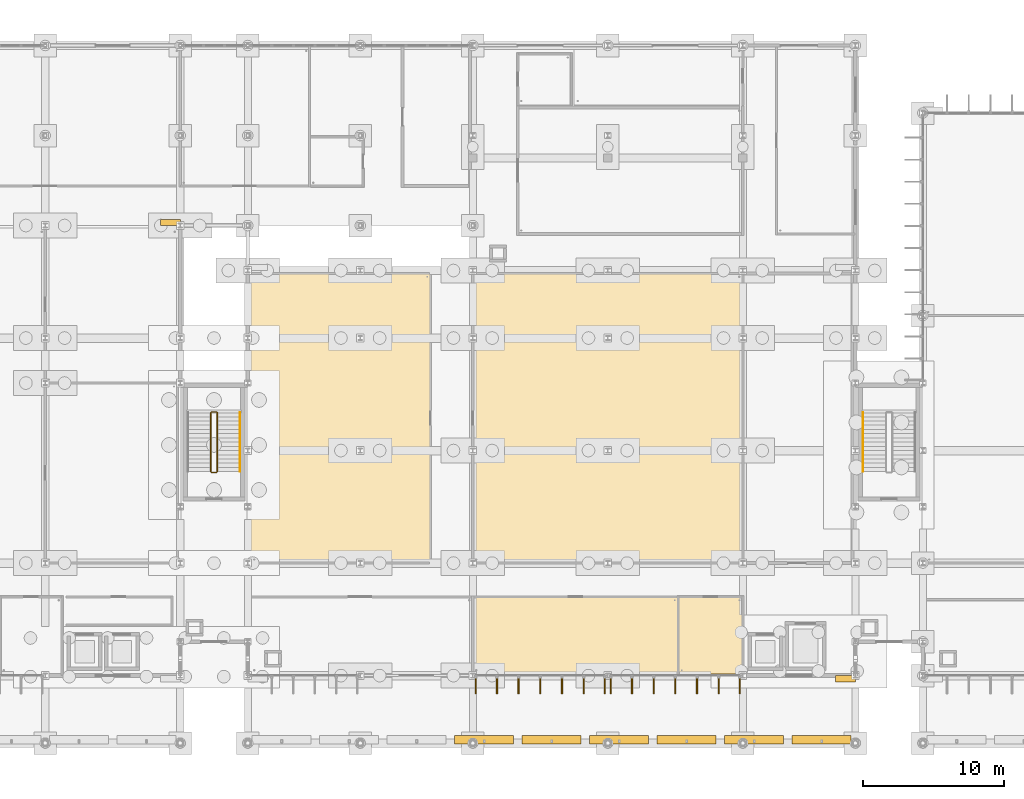
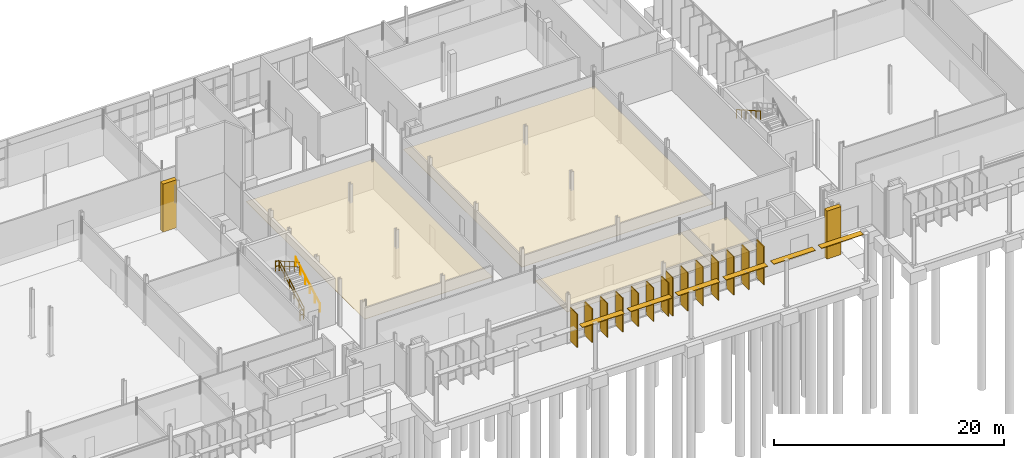
# One storey, part 106 of 111: 20 coverings, 6 railings, 6 shading devices.
"""IFC4 building model written with IfcOpenShell, lengths in metres."""

from ifc_helpers import new_model, si_unit, direction, frame, origin, origin_2d, place, context, subcontext, project, spatial, polyline, rectangle, circle, outline, extrude, material, layer, layer_set, type_object, element, save


model = new_model("IFC4")

# Units and contexts
model_context = context("Model", 3, precision=1e-05, world=origin(), true_north=direction((0.0, 1.0)))
body_context = subcontext(model_context, "Body", "Model", "MODEL_VIEW")
ifc_project = project(units=[si_unit("LENGTHUNIT", "METRE"), si_unit("AREAUNIT", "SQUARE_METRE"), si_unit("VOLUMEUNIT", "CUBIC_METRE"), si_unit("PLANEANGLEUNIT", "RADIAN"), si_unit("MASSUNIT", "GRAM", prefix="KILO")], contexts=[model_context])

# Site, building, storey
site_placement = place(None, origin())
site = spatial("IfcSite", under=ifc_project, at=site_placement, CompositionType="ELEMENT")
building_placement = place(site_placement, origin())
building = spatial("IfcBuilding", under=site, at=building_placement, Name="Dunescarp Central Library", CompositionType="ELEMENT")
storey_placement = place(building_placement, origin())
storey = spatial("IfcBuildingStorey", under=building, at=storey_placement, Name="L00", CompositionType="ELEMENT", Elevation=0.0)

# Coverings
ifc_material_1 = material(Name="Mineral-fibre acoustic ceiling tile")
ifc_layer_1 = layer(ifc_material_1, 0.0400390625)
ifc_layer_set_1 = layer_set([ifc_layer_1], Name="Mineral-fibre acoustic ceiling tile")
covering_type_1 = type_object("IfcCoveringType", Name="ARC-COV-CEIL40", PredefinedType="CEILING", material=ifc_layer_set_1)
covering_1_placement = place(storey_placement, frame((0.0, 0.0, 3.050048828125)))
element("IfcCovering", 1, at=covering_1_placement, inside=storey, type_object=covering_type_1, Name="L00 ceiling Stacks Wing WC", PredefinedType="CEILING", context=body_context, shape_type="SweptSolid", body=[
    extrude(outline(polyline([(112.179931640625, 4.919921875), (116.820068359375, 4.919921875), (116.820068359375, 10.419921875), (112.179931640625, 10.419921875), (112.179931640625, 4.919921875)])), origin(), (0.0, 0.0, 1.0), 0.0400390625),
])
covering_2_placement = place(storey_placement, frame((0.0, 0.0, 3.050048828125)))
element("IfcCovering", 2, at=covering_2_placement, inside=storey, type_object=covering_type_1, Name="L00 ceiling Community Literacy Classroom", PredefinedType="CEILING", context=body_context, shape_type="SweptSolid", body=[
    extrude(outline(polyline([(97.580078125, 4.919921875), (112.219970703125, 4.919921875), (112.219970703125, 10.419921875), (97.580078125, 10.419921875), (97.580078125, 4.919921875)])), origin(), (0.0, 0.0, 1.0), 0.0400390625),
])
covering_3_placement = place(storey_placement, frame((0.0, 0.0, 3.050048828125)))
element("IfcCovering", 3, at=covering_3_placement, inside=storey, type_object=covering_type_1, Name="L00 ceiling Open Reference Book Stacks Ground", PredefinedType="CEILING", context=body_context, shape_type="SweptSolid", body=[
    extrude(outline(polyline([(81.780029296875, 12.780029296875), (94.6201171875, 12.780029296875), (94.6201171875, 33.419921875), (81.780029296875, 33.419921875), (81.780029296875, 12.780029296875)])), origin(), (0.0, 0.0, 1.0), 0.0400390625),
])
covering_4_placement = place(storey_placement, frame((0.0, 0.0, 3.050048828125)))
element("IfcCovering", 4, at=covering_4_placement, inside=storey, type_object=covering_type_1, Name="L00 ceiling Acquisitions & Preservation Laboratory", PredefinedType="CEILING", context=body_context, shape_type="SweptSolid", body=[
    extrude(outline(polyline([(97.580078125, 12.780029296875), (116.820068359375, 12.780029296875), (116.820068359375, 33.419921875), (97.580078125, 33.419921875), (97.580078125, 12.780029296875)])), origin(), (0.0, 0.0, 1.0), 0.0400390625),
])
ifc_material_2 = material(Name="Glass-fibre reinforced concrete GRC", Category="concrete")
ifc_layer_2 = layer(ifc_material_2, 0.090087890625)
ifc_layer_set_2 = layer_set([ifc_layer_2], Name="Glass-fibre reinforced concrete GRC")
covering_type_2 = type_object("IfcCoveringType", Name="ARC-COV-FIN1250", PredefinedType="CLADDING", material=ifc_layer_set_2)
covering_5_placement = place(storey_placement, frame((106.985107421875, 4.137939453125, 0.1669921875), z_axis=(0.0, 0.0, 1.0), x_axis=(0.0, -1.0, 0.0)))
element("IfcCovering", 5, at=covering_5_placement, inside=storey, type_object=covering_type_2, Name="L00 parametric vertical facade fin FIN-L00-0566", PredefinedType="CLADDING", context=body_context, shape_type="SweptSolid", body=[
    extrude(rectangle(XDim=1.25, YDim=0.090087890625, at=origin_2d()), origin(), (0.0, 0.0, 1.0), 3.55810546875),
])
covering_6_placement = place(storey_placement, frame((105.48291015625, 4.137939453125, 0.180419921875), z_axis=(0.0, 0.0, 1.0), x_axis=(0.0, -1.0, 0.0)))
element("IfcCovering", 6, at=covering_6_placement, inside=storey, type_object=covering_type_2, Name="L00 parametric vertical facade fin FIN-L00-0567", PredefinedType="CLADDING", context=body_context, shape_type="SweptSolid", body=[
    extrude(rectangle(XDim=1.25, YDim=0.090087890625, at=origin_2d()), origin(), (0.0, 0.0, 1.0), 3.544921875),
])
covering_7_placement = place(storey_placement, frame((103.94189453125, 4.137939453125, 0.16455078125), z_axis=(0.0, 0.0, 1.0), x_axis=(0.0, -1.0, 0.0)))
element("IfcCovering", 7, at=covering_7_placement, inside=storey, type_object=covering_type_2, Name="L00 parametric vertical facade fin FIN-L00-0568", PredefinedType="CLADDING", context=body_context, shape_type="SweptSolid", body=[
    extrude(rectangle(XDim=1.25, YDim=0.090087890625, at=origin_2d()), origin(), (0.0, 0.0, 1.0), 3.56103515625),
])
covering_8_placement = place(storey_placement, frame((102.39990234375, 4.137939453125, 0.123046875), z_axis=(0.0, 0.0, 1.0), x_axis=(0.0, -1.0, 0.0)))
element("IfcCovering", 8, at=covering_8_placement, inside=storey, type_object=covering_type_2, Name="L00 parametric vertical facade fin FIN-L00-0569", PredefinedType="CLADDING", context=body_context, shape_type="SweptSolid", body=[
    extrude(rectangle(XDim=1.25, YDim=0.090087890625, at=origin_2d()), origin(), (0.0, 0.0, 1.0), 3.60205078125),
])
covering_9_placement = place(storey_placement, frame((100.85791015625, 4.137939453125, 0.080078125), z_axis=(0.0, 0.0, 1.0), x_axis=(0.0, -1.0, 0.0)))
element("IfcCovering", 9, at=covering_9_placement, inside=storey, type_object=covering_type_2, Name="L00 parametric vertical facade fin FIN-L00-0570", PredefinedType="CLADDING", context=body_context, shape_type="SweptSolid", body=[
    extrude(rectangle(XDim=1.25, YDim=0.090087890625, at=origin_2d()), origin(), (0.0, 0.0, 1.0), 3.634033203125),
])
covering_10_placement = place(storey_placement, frame((99.31689453125, 4.137939453125, 0.080078125), z_axis=(0.0, 0.0, 1.0), x_axis=(0.0, -1.0, 0.0)))
element("IfcCovering", 10, at=covering_10_placement, inside=storey, type_object=covering_type_2, Name="L00 parametric vertical facade fin FIN-L00-0571", PredefinedType="CLADDING", context=body_context, shape_type="SweptSolid", body=[
    extrude(rectangle(XDim=1.25, YDim=0.090087890625, at=origin_2d()), origin(), (0.0, 0.0, 1.0), 3.583984375),
])
covering_11_placement = place(storey_placement, frame((97.81494140625, 4.137939453125, 0.07958984375), z_axis=(0.0, 0.0, 1.0), x_axis=(0.0, -1.0, 0.0)))
element("IfcCovering", 11, at=covering_11_placement, inside=storey, type_object=covering_type_2, Name="L00 parametric vertical facade fin FIN-L00-0572", PredefinedType="CLADDING", context=body_context, shape_type="SweptSolid", body=[
    extrude(rectangle(XDim=1.25, YDim=0.090087890625, at=origin_2d()), origin(), (0.0, 0.0, 1.0), 3.551025390625),
])
covering_12_placement = place(storey_placement, frame((116.5849609375, 4.137939453125, 0.1669921875), z_axis=(0.0, 0.0, 1.0), x_axis=(0.0, -1.0, 0.0)))
element("IfcCovering", 12, at=covering_12_placement, inside=storey, type_object=covering_type_2, Name="L00 parametric vertical facade fin FIN-L00-0573", PredefinedType="CLADDING", context=body_context, shape_type="SweptSolid", body=[
    extrude(rectangle(XDim=1.25, YDim=0.090087890625, at=origin_2d()), origin(), (0.0, 0.0, 1.0), 4.05810546875),
])
covering_13_placement = place(storey_placement, frame((115.0830078125, 4.137939453125, 0.179443359375), z_axis=(0.0, 0.0, 1.0), x_axis=(0.0, -1.0, 0.0)))
element("IfcCovering", 13, at=covering_13_placement, inside=storey, type_object=covering_type_2, Name="L00 parametric vertical facade fin FIN-L00-0574", PredefinedType="CLADDING", context=body_context, shape_type="SweptSolid", body=[
    extrude(rectangle(XDim=1.25, YDim=0.090087890625, at=origin_2d()), origin(), (0.0, 0.0, 1.0), 4.044921875),
])
covering_14_placement = place(storey_placement, frame((113.5419921875, 4.137939453125, 0.16357421875), z_axis=(0.0, 0.0, 1.0), x_axis=(0.0, -1.0, 0.0)))
element("IfcCovering", 14, at=covering_14_placement, inside=storey, type_object=covering_type_2, Name="L00 parametric vertical facade fin FIN-L00-0575", PredefinedType="CLADDING", context=body_context, shape_type="SweptSolid", body=[
    extrude(rectangle(XDim=1.25, YDim=0.090087890625, at=origin_2d()), origin(), (0.0, 0.0, 1.0), 4.06103515625),
])
covering_15_placement = place(storey_placement, frame((112.0, 4.137939453125, 0.123046875), z_axis=(0.0, 0.0, 1.0), x_axis=(0.0, -1.0, 0.0)))
element("IfcCovering", 15, at=covering_15_placement, inside=storey, type_object=covering_type_2, Name="L00 parametric vertical facade fin FIN-L00-0576", PredefinedType="CLADDING", context=body_context, shape_type="SweptSolid", body=[
    extrude(rectangle(XDim=1.25, YDim=0.090087890625, at=origin_2d()), origin(), (0.0, 0.0, 1.0), 4.10205078125),
])
covering_16_placement = place(storey_placement, frame((110.4580078125, 4.137939453125, 0.080078125), z_axis=(0.0, 0.0, 1.0), x_axis=(0.0, -1.0, 0.0)))
element("IfcCovering", 16, at=covering_16_placement, inside=storey, type_object=covering_type_2, Name="L00 parametric vertical facade fin FIN-L00-0577", PredefinedType="CLADDING", context=body_context, shape_type="SweptSolid", body=[
    extrude(rectangle(XDim=1.25, YDim=0.090087890625, at=origin_2d()), origin(), (0.0, 0.0, 1.0), 4.134033203125),
])
covering_17_placement = place(storey_placement, frame((108.9169921875, 4.137939453125, 0.080078125), z_axis=(0.0, 0.0, 1.0), x_axis=(0.0, -1.0, 0.0)))
element("IfcCovering", 17, at=covering_17_placement, inside=storey, type_object=covering_type_2, Name="L00 parametric vertical facade fin FIN-L00-0578", PredefinedType="CLADDING", context=body_context, shape_type="SweptSolid", body=[
    extrude(rectangle(XDim=1.25, YDim=0.090087890625, at=origin_2d()), origin(), (0.0, 0.0, 1.0), 4.083984375),
])
covering_18_placement = place(storey_placement, frame((107.4150390625, 4.137939453125, 0.08056640625), z_axis=(0.0, 0.0, 1.0), x_axis=(0.0, -1.0, 0.0)))
element("IfcCovering", 18, at=covering_18_placement, inside=storey, type_object=covering_type_2, Name="L00 parametric vertical facade fin FIN-L00-0579", PredefinedType="CLADDING", context=body_context, shape_type="SweptSolid", body=[
    extrude(rectangle(XDim=1.25, YDim=0.090087890625, at=origin_2d()), origin(), (0.0, 0.0, 1.0), 4.051025390625),
])
ifc_layer_3 = layer(ifc_material_2, 0.449951171875)
ifc_layer_set_3 = layer_set([ifc_layer_3], Name="Glass-fibre reinforced concrete GRC")
covering_type_3 = type_object("IfcCoveringType", Name="ARC-COV-PORTAL", PredefinedType="CLADDING", material=ifc_layer_set_3)
for number, where, z_axis, x_axis, name in (
    (19, (76.10009765625, 37.02001953125, 0.0), (0.0, 0.0, 1.0), (1.0, 0.0, 0.0), "V2 sculpted GRC portal pier PRT-BAND-V2-004"),
    (20, (124.10009765625, 4.580078125, 0.0), (0.0, 0.0, 1.0), (1.0, 0.0, 0.0), "V3 sculpted GRC portal pier PRT-BAND-V3-029"),
):
    element("IfcCovering", number, at=place(storey_placement, frame(where, z_axis=z_axis, x_axis=x_axis)), inside=storey, type_object=covering_type_3, Name=name, PredefinedType="CLADDING", context=body_context, shape_type="SweptSolid", body=[
        extrude(rectangle(XDim=1.39990234375, YDim=0.449951171875, at=origin_2d()), origin(), (0.0, 0.0, 1.0), 5.10009765625),
    ])

# Railings
ifc_material_3 = material(Name="Stainless steel Grade 316L", Category="steel")
railing_type_1 = type_object("IfcRailingType", Name="ARC-RL-GUARD", PredefinedType="GUARDRAIL", material=ifc_material_3)
railing_1_placement = place(storey_placement, frame((79.429931640625, 19.300048828125, 0.169921875)))
element("IfcRailing", 21, at=railing_1_placement, inside=storey, type_object=railing_type_1, Name="L00 ST-3 stair guard 1", PredefinedType="GUARDRAIL", context=body_context, shape_type="SweptSolid", body=[
    extrude(circle(Radius=0.02392578125, at=origin_2d()), frame((0.0, 0.0, 1.076171875), z_axis=(0.0, 0.870008446991, 0.493036816236), x_axis=(-1.0, 0.0, 0.0)), (0.0, 0.0, 1.0), 4.827392578125),
    extrude(circle(Radius=0.02392578125, at=origin_2d()), frame((0.0, 0.0, 0.550048828125), z_axis=(0.0, 0.870008446991, 0.493036816236), x_axis=(-1.0, 0.0, 0.0)), (0.0, 0.0, 1.0), 4.827392578125),
    extrude(circle(Radius=0.02099609375, at=origin_2d()), origin(), (0.0, 0.0, 1.0), 1.052001953125),
    extrude(circle(Radius=0.02099609375, at=origin_2d()), frame((0.0, 0.840087890625, 0.47607421875)), (0.0, 0.0, 1.0), 1.052001953125),
    extrude(circle(Radius=0.02099609375, at=origin_2d()), frame((0.0, 1.679931640625, 0.9521484375)), (0.0, 0.0, 1.0), 1.052001953125),
    extrude(circle(Radius=0.02099609375, at=origin_2d()), frame((0.0, 2.52001953125, 1.427978515625)), (0.0, 0.0, 1.0), 1.052001953125),
    extrude(circle(Radius=0.02099609375, at=origin_2d()), frame((0.0, 3.35986328125, 1.904052734375)), (0.0, 0.0, 1.0), 1.052001953125),
    extrude(circle(Radius=0.02099609375, at=origin_2d()), frame((0.0, 4.199951171875, 2.380126953125)), (0.0, 0.0, 1.0), 1.052001953125),
])
railing_2_placement = place(storey_placement, frame((79.3798828125, 23.550048828125, 2.550048828125)))
element("IfcRailing", 22, at=railing_2_placement, inside=storey, type_object=railing_type_1, Name="L00 ST-3 stair guard 2", PredefinedType="GUARDRAIL", context=body_context, shape_type="SweptSolid", body=[
    extrude(circle(Radius=0.02392578125, at=origin_2d()), frame((0.0, 0.0, 1.076171875), z_axis=(-1.0, 0.0, 0.0), x_axis=(0.0, -1.0, 0.0)), (0.0, 0.0, 1.0), 0.35986328125),
    extrude(circle(Radius=0.02392578125, at=origin_2d()), frame((0.0, 0.0, 0.550048828125), z_axis=(-1.0, 0.0, 0.0), x_axis=(0.0, -1.0, 0.0)), (0.0, 0.0, 1.0), 0.35986328125),
    extrude(circle(Radius=0.02099609375, at=origin_2d()), origin(), (0.0, 0.0, 1.0), 1.052001953125),
    extrude(circle(Radius=0.02099609375, at=origin_2d()), frame((-0.35986328125, 0.0, 0.0)), (0.0, 0.0, 1.0), 1.052001953125),
])
railing_3_placement = place(storey_placement, frame((78.969970703125, 23.5, 2.719970703125)))
element("IfcRailing", 23, at=railing_3_placement, inside=storey, type_object=railing_type_1, Name="L00 ST-3 stair guard 3", PredefinedType="GUARDRAIL", context=body_context, shape_type="SweptSolid", body=[
    extrude(circle(Radius=0.02392578125, at=origin_2d()), frame((0.0, 0.0, 1.076171875), z_axis=(0.0, -0.870008446991, 0.493036816236), x_axis=(1.0, 0.0, 0.0)), (0.0, 0.0, 1.0), 4.827392578125),
    extrude(circle(Radius=0.02392578125, at=origin_2d()), frame((0.0, 0.0, 0.550048828125), z_axis=(0.0, -0.870008446991, 0.493036816236), x_axis=(1.0, 0.0, 0.0)), (0.0, 0.0, 1.0), 4.827392578125),
    extrude(circle(Radius=0.02099609375, at=origin_2d()), origin(), (0.0, 0.0, 1.0), 1.052001953125),
    extrude(circle(Radius=0.02099609375, at=origin_2d()), frame((0.0, -0.840087890625, 0.47607421875)), (0.0, 0.0, 1.0), 1.052001953125),
    extrude(circle(Radius=0.02099609375, at=origin_2d()), frame((0.0, -1.679931640625, 0.9521484375)), (0.0, 0.0, 1.0), 1.052001953125),
    extrude(circle(Radius=0.02099609375, at=origin_2d()), frame((0.0, -2.52001953125, 1.427978515625)), (0.0, 0.0, 1.0), 1.052001953125),
    extrude(circle(Radius=0.02099609375, at=origin_2d()), frame((0.0, -3.35986328125, 1.904052734375)), (0.0, 0.0, 1.0), 1.052001953125),
    extrude(circle(Radius=0.02099609375, at=origin_2d()), frame((0.0, -4.199951171875, 2.380126953125)), (0.0, 0.0, 1.0), 1.052001953125),
])
railing_4_placement = place(storey_placement, frame((79.3798828125, 19.25, 0.0)))
element("IfcRailing", 24, at=railing_4_placement, inside=storey, type_object=railing_type_1, Name="L00 ST-3 stair guard 4", PredefinedType="GUARDRAIL", context=body_context, shape_type="SweptSolid", body=[
    extrude(circle(Radius=0.02392578125, at=origin_2d()), frame((0.0, 0.0, 1.076171875), z_axis=(-1.0, 0.0, 0.0), x_axis=(0.0, -1.0, 0.0)), (0.0, 0.0, 1.0), 0.35986328125),
    extrude(circle(Radius=0.02392578125, at=origin_2d()), frame((0.0, 0.0, 0.550048828125), z_axis=(-1.0, 0.0, 0.0), x_axis=(0.0, -1.0, 0.0)), (0.0, 0.0, 1.0), 0.35986328125),
    extrude(circle(Radius=0.02099609375, at=origin_2d()), origin(), (0.0, 0.0, 1.0), 1.052001953125),
    extrude(circle(Radius=0.02099609375, at=origin_2d()), frame((-0.35986328125, 0.0, 0.0)), (0.0, 0.0, 1.0), 1.052001953125),
])
railing_type_2 = type_object("IfcRailingType", Name="ARC-RL-HAND", PredefinedType="HANDRAIL", material=ifc_material_3)
railing_5_placement = place(storey_placement, frame((81.050048828125, 19.300048828125, 0.169921875)))
element("IfcRailing", 25, at=railing_5_placement, inside=storey, type_object=railing_type_2, Name="L00 ST-3 stair handrail 1", PredefinedType="HANDRAIL", context=body_context, shape_type="SweptSolid", body=[
    extrude(circle(Radius=0.02392578125, at=origin_2d()), frame((0.0, 0.0, 0.8857421875), z_axis=(0.0, 0.870008446991, 0.493036816236), x_axis=(-1.0, 0.0, 0.0)), (0.0, 0.0, 1.0), 4.827392578125),
    extrude(circle(Radius=0.02099609375, at=origin_2d()), origin(), (0.0, 0.0, 1.0), 0.86181640625),
    extrude(circle(Radius=0.02099609375, at=origin_2d()), frame((0.0, 0.840087890625, 0.47607421875)), (0.0, 0.0, 1.0), 0.86181640625),
    extrude(circle(Radius=0.02099609375, at=origin_2d()), frame((0.0, 1.679931640625, 0.9521484375)), (0.0, 0.0, 1.0), 0.86181640625),
    extrude(circle(Radius=0.02099609375, at=origin_2d()), frame((0.0, 2.52001953125, 1.427978515625)), (0.0, 0.0, 1.0), 0.86181640625),
    extrude(circle(Radius=0.02099609375, at=origin_2d()), frame((0.0, 3.35986328125, 1.904052734375)), (0.0, 0.0, 1.0), 0.86181640625),
    extrude(circle(Radius=0.02099609375, at=origin_2d()), frame((0.0, 4.199951171875, 2.380126953125)), (0.0, 0.0, 1.0), 0.86181640625),
])
railing_6_placement = place(storey_placement, frame((125.35009765625, 23.5, 2.719970703125)))
element("IfcRailing", 26, at=railing_6_placement, inside=storey, type_object=railing_type_2, Name="L00 ST-5 stair handrail 2", PredefinedType="HANDRAIL", context=body_context, shape_type="SweptSolid", body=[
    extrude(circle(Radius=0.02392578125, at=origin_2d()), frame((0.0, 0.0, 0.8857421875), z_axis=(0.0, -0.870008446991, 0.493036816236), x_axis=(1.0, 0.0, 0.0)), (0.0, 0.0, 1.0), 4.827392578125),
    extrude(circle(Radius=0.02099609375, at=origin_2d()), origin(), (0.0, 0.0, 1.0), 0.86181640625),
    extrude(circle(Radius=0.02099609375, at=origin_2d()), frame((0.0, -0.840087890625, 0.47607421875)), (0.0, 0.0, 1.0), 0.86181640625),
    extrude(circle(Radius=0.02099609375, at=origin_2d()), frame((0.0, -1.679931640625, 0.9521484375)), (0.0, 0.0, 1.0), 0.86181640625),
    extrude(circle(Radius=0.02099609375, at=origin_2d()), frame((0.0, -2.52001953125, 1.427978515625)), (0.0, 0.0, 1.0), 0.86181640625),
    extrude(circle(Radius=0.02099609375, at=origin_2d()), frame((0.0, -3.35986328125, 1.904052734375)), (0.0, 0.0, 1.0), 0.86181640625),
    extrude(circle(Radius=0.02099609375, at=origin_2d()), frame((0.0, -4.199951171875, 2.380126953125)), (0.0, 0.0, 1.0), 0.86181640625),
])

# Shading devices
ifc_material_4 = material(Name="Marine-grade anodised aluminium 6063-T6", Category="aluminium")
ifc_layer_4 = layer(ifc_material_4, 0.06005859375)
ifc_layer_set_4 = layer_set([ifc_layer_4], Name="Marine-grade anodised aluminium 6063-T6")
shading_device_type = type_object("IfcShadingDeviceType", Name="ARC-SHD-LVR", PredefinedType="SHUTTER", material=ifc_layer_set_4)
for number, where, z_axis, x_axis, name in (
    (27, (98.39990234375, 0.25, 4.85986328125), (0.0, 0.0, 1.0), (1.0, 0.0, 0.0), "Colonnade sunshade louvre LVR-COL-019"),
    (28, (103.199951171875, 0.25, 4.85986328125), (0.0, 0.0, 1.0), (1.0, 0.0, 0.0), "Colonnade sunshade louvre LVR-COL-020"),
    (29, (108.0, 0.25, 4.85986328125), (0.0, 0.0, 1.0), (1.0, 0.0, 0.0), "Colonnade sunshade louvre LVR-COL-021"),
    (30, (112.800048828125, 0.25, 4.85986328125), (0.0, 0.0, 1.0), (1.0, 0.0, 0.0), "Colonnade sunshade louvre LVR-COL-022"),
    (31, (117.60009765625, 0.25, 4.85986328125), (0.0, 0.0, 1.0), (1.0, 0.0, 0.0), "Colonnade sunshade louvre LVR-COL-023"),
    (32, (122.39990234375, 0.25, 4.85986328125), (0.0, 0.0, 1.0), (1.0, 0.0, 0.0), "Colonnade sunshade louvre LVR-COL-024"),
):
    element("IfcShadingDevice", number, at=place(storey_placement, frame(where, z_axis=z_axis, x_axis=x_axis)), inside=storey, type_object=shading_device_type, Name=name, PredefinedType="SHUTTER", context=body_context, shape_type="SweptSolid", body=[
        extrude(rectangle(XDim=4.199951171875, YDim=0.60009765625, at=origin_2d()), origin(), (0.0, 0.0, 1.0), 0.06005859375),
    ])

save(model, "model.ifc")
